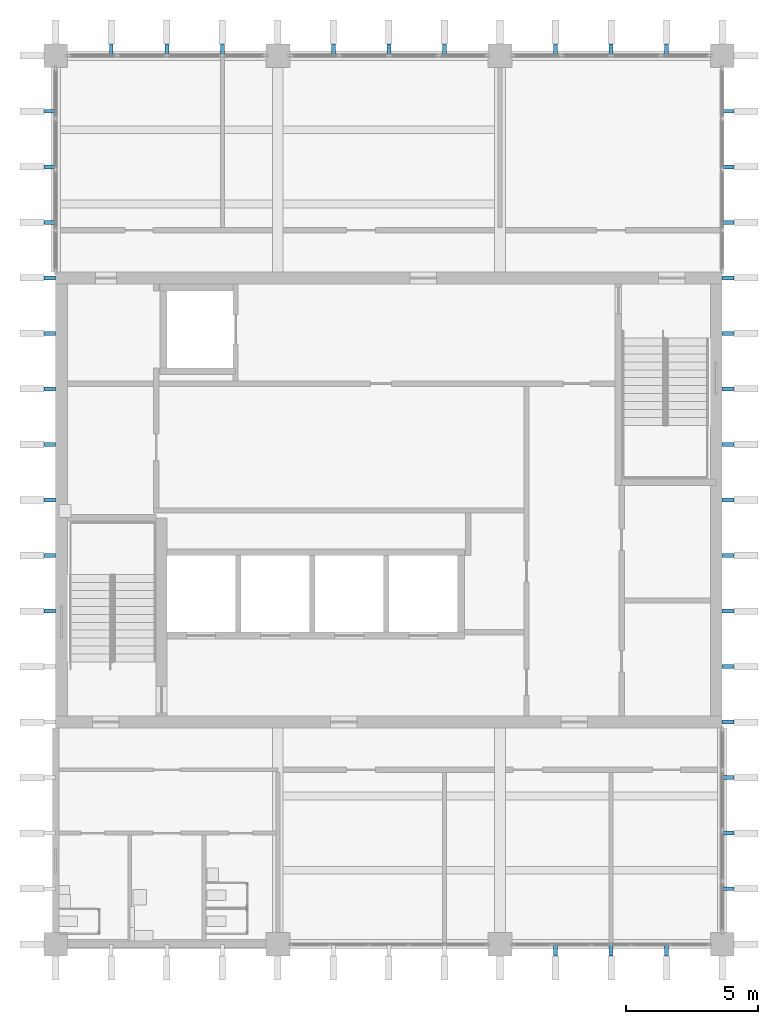
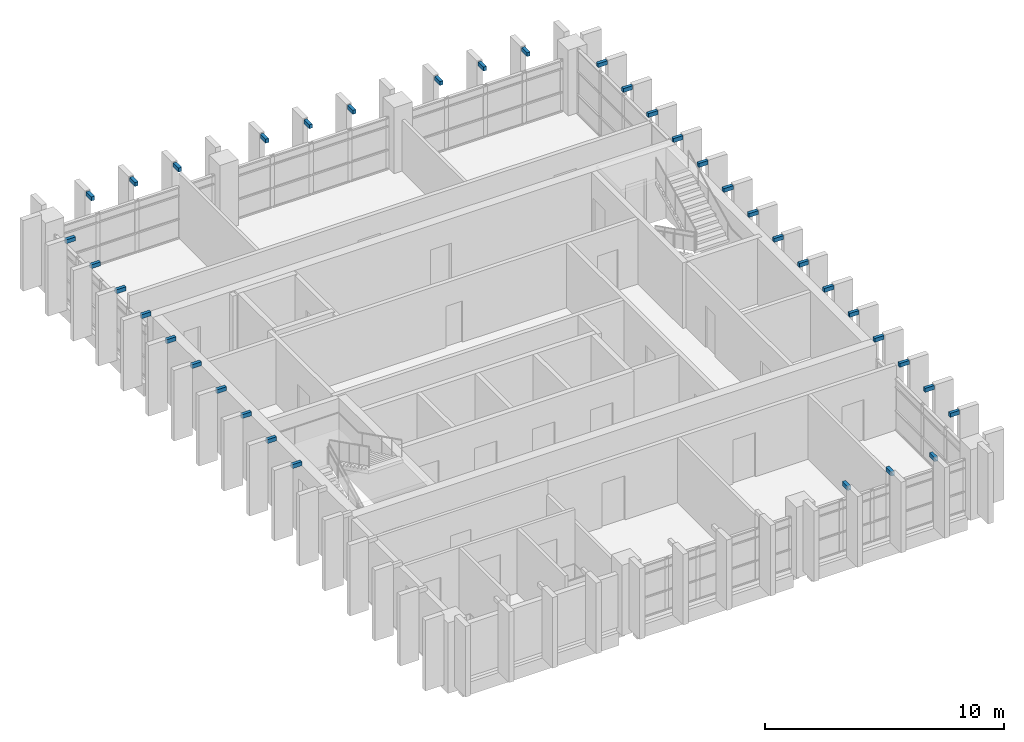
# One storey, part 9 of 11: 37 discrete accessories.
"""IFC4 building model written with IfcOpenShell, lengths in metres."""

from ifc_helpers import new_model, si_unit, direction, frame, origin, origin_2d, place, context, subcontext, project, spatial, rectangle, extrude, material, type_object, element, save


model = new_model("IFC4")

# Units and contexts
model_context = context("Model", 3, precision=1e-05, world=origin(), true_north=direction((0.0, 1.0)))
body_context = subcontext(model_context, "Body", "Model", "MODEL_VIEW")
ifc_project = project(units=[si_unit("LENGTHUNIT", "METRE"), si_unit("AREAUNIT", "SQUARE_METRE"), si_unit("VOLUMEUNIT", "CUBIC_METRE"), si_unit("PLANEANGLEUNIT", "RADIAN"), si_unit("MASSUNIT", "GRAM", prefix="KILO")], contexts=[model_context])

# Site, building, storey
site_placement = place(None, origin())
site = spatial("IfcSite", under=ifc_project, at=site_placement, CompositionType="ELEMENT")
building_placement = place(site_placement, origin())
building = spatial("IfcBuilding", under=site, at=building_placement, Name="Rulbaag Community and Learning Centre", CompositionType="ELEMENT")
storey_placement = place(building_placement, frame((0.0, 0.0, 32.39990234375)))
storey = spatial("IfcBuildingStorey", under=building, at=storey_placement, Name="L08", CompositionType="ELEMENT", Elevation=32.39990234375)

# Discrete accessories
ifc_material = material(Name="Steel E350", Category="steel")
discrete_accessory_type = type_object("IfcDiscreteAccessoryType", Name="BR-FN", PredefinedType="BRACKET", material=ifc_material)
for number, where, z_axis, x_axis, name in (
    (1, (161.699951171875, 83.77490234375, 3.35009765625), (0.0, 0.0, 1.0), (1.0, 0.0, 0.0), "Fin arm"),
    (2, (163.800048828125, 83.77490234375, 3.35009765625), (0.0, 0.0, 1.0), (1.0, 0.0, 0.0), "Fin arm"),
    (3, (165.89990234375, 83.77490234375, 3.35009765625), (0.0, 0.0, 1.0), (1.0, 0.0, 0.0), "Fin arm"),
    (4, (144.89990234375, 117.824951171875, 3.35009765625), (0.0, 0.0, 1.0), (1.0, 0.0, 0.0), "Fin arm"),
    (5, (147.0, 117.824951171875, 3.35009765625), (0.0, 0.0, 1.0), (1.0, 0.0, 0.0), "Fin arm"),
    (6, (149.10009765625, 117.824951171875, 3.35009765625), (0.0, 0.0, 1.0), (1.0, 0.0, 0.0), "Fin arm"),
    (7, (153.300048828125, 117.824951171875, 3.35009765625), (0.0, 0.0, 1.0), (1.0, 0.0, 0.0), "Fin arm"),
    (8, (155.39990234375, 117.824951171875, 3.35009765625), (0.0, 0.0, 1.0), (1.0, 0.0, 0.0), "Fin arm"),
    (9, (157.5, 117.824951171875, 3.35009765625), (0.0, 0.0, 1.0), (1.0, 0.0, 0.0), "Fin arm"),
    (10, (161.699951171875, 117.824951171875, 3.35009765625), (0.0, 0.0, 1.0), (1.0, 0.0, 0.0), "Fin arm"),
    (11, (163.800048828125, 117.824951171875, 3.35009765625), (0.0, 0.0, 1.0), (1.0, 0.0, 0.0), "Fin arm"),
    (12, (165.89990234375, 117.824951171875, 3.35009765625), (0.0, 0.0, 1.0), (1.0, 0.0, 0.0), "Fin arm"),
):
    element("IfcDiscreteAccessory", number, at=place(storey_placement, frame(where, z_axis=z_axis, x_axis=x_axis)), inside=storey, type_object=discrete_accessory_type, Name=name, PredefinedType="BRACKET", context=body_context, shape_type="SweptSolid", body=[
        extrude(rectangle(XDim=0.14990234375, YDim=0.449951171875, at=origin_2d()), origin(), (0.0, 0.0, 1.0), 0.199951171875),
    ])
for number, where, z_axis, x_axis, name in (
    (13, (142.574951171875, 96.60009765625, 3.35009765625), (0.0, 0.0, 1.0), (1.0, 0.0, 0.0), "Fin arm"),
    (14, (142.574951171875, 98.699951171875, 3.35009765625), (0.0, 0.0, 1.0), (1.0, 0.0, 0.0), "Fin arm"),
    (15, (142.574951171875, 100.800048828125, 3.35009765625), (0.0, 0.0, 1.0), (1.0, 0.0, 0.0), "Fin arm"),
    (16, (142.574951171875, 102.89990234375, 3.35009765625), (0.0, 0.0, 1.0), (1.0, 0.0, 0.0), "Fin arm"),
    (17, (142.574951171875, 105.0, 3.35009765625), (0.0, 0.0, 1.0), (1.0, 0.0, 0.0), "Fin arm"),
    (18, (142.574951171875, 107.10009765625, 3.35009765625), (0.0, 0.0, 1.0), (1.0, 0.0, 0.0), "Fin arm"),
    (19, (142.574951171875, 109.199951171875, 3.35009765625), (0.0, 0.0, 1.0), (1.0, 0.0, 0.0), "Fin arm"),
    (20, (142.574951171875, 111.300048828125, 3.35009765625), (0.0, 0.0, 1.0), (1.0, 0.0, 0.0), "Fin arm"),
    (21, (142.574951171875, 113.39990234375, 3.35009765625), (0.0, 0.0, 1.0), (1.0, 0.0, 0.0), "Fin arm"),
    (22, (142.574951171875, 115.5, 3.35009765625), (0.0, 0.0, 1.0), (1.0, 0.0, 0.0), "Fin arm"),
    (23, (168.22509765625, 86.10009765625, 3.35009765625), (0.0, 0.0, 1.0), (1.0, 0.0, 0.0), "Fin arm"),
    (24, (168.22509765625, 88.199951171875, 3.35009765625), (0.0, 0.0, 1.0), (1.0, 0.0, 0.0), "Fin arm"),
    (25, (168.22509765625, 90.300048828125, 3.35009765625), (0.0, 0.0, 1.0), (1.0, 0.0, 0.0), "Fin arm"),
    (26, (168.22509765625, 92.39990234375, 3.35009765625), (0.0, 0.0, 1.0), (1.0, 0.0, 0.0), "Fin arm"),
    (27, (168.22509765625, 94.5, 3.35009765625), (0.0, 0.0, 1.0), (1.0, 0.0, 0.0), "Fin arm"),
    (28, (168.22509765625, 96.60009765625, 3.35009765625), (0.0, 0.0, 1.0), (1.0, 0.0, 0.0), "Fin arm"),
    (29, (168.22509765625, 98.699951171875, 3.35009765625), (0.0, 0.0, 1.0), (1.0, 0.0, 0.0), "Fin arm"),
    (30, (168.22509765625, 100.800048828125, 3.35009765625), (0.0, 0.0, 1.0), (1.0, 0.0, 0.0), "Fin arm"),
    (31, (168.22509765625, 102.89990234375, 3.35009765625), (0.0, 0.0, 1.0), (1.0, 0.0, 0.0), "Fin arm"),
    (32, (168.22509765625, 105.0, 3.35009765625), (0.0, 0.0, 1.0), (1.0, 0.0, 0.0), "Fin arm"),
    (33, (168.22509765625, 107.10009765625, 3.35009765625), (0.0, 0.0, 1.0), (1.0, 0.0, 0.0), "Fin arm"),
    (34, (168.22509765625, 109.199951171875, 3.35009765625), (0.0, 0.0, 1.0), (1.0, 0.0, 0.0), "Fin arm"),
    (35, (168.22509765625, 111.300048828125, 3.35009765625), (0.0, 0.0, 1.0), (1.0, 0.0, 0.0), "Fin arm"),
    (36, (168.22509765625, 113.39990234375, 3.35009765625), (0.0, 0.0, 1.0), (1.0, 0.0, 0.0), "Fin arm"),
    (37, (168.22509765625, 115.5, 3.35009765625), (0.0, 0.0, 1.0), (1.0, 0.0, 0.0), "Fin arm"),
):
    element("IfcDiscreteAccessory", number, at=place(storey_placement, frame(where, z_axis=z_axis, x_axis=x_axis)), inside=storey, type_object=discrete_accessory_type, Name=name, PredefinedType="BRACKET", context=body_context, shape_type="SweptSolid", body=[
        extrude(rectangle(XDim=0.449951171875, YDim=0.14990234375, at=origin_2d()), origin(), (0.0, 0.0, 1.0), 0.199951171875),
    ])

save(model, "model.ifc")
